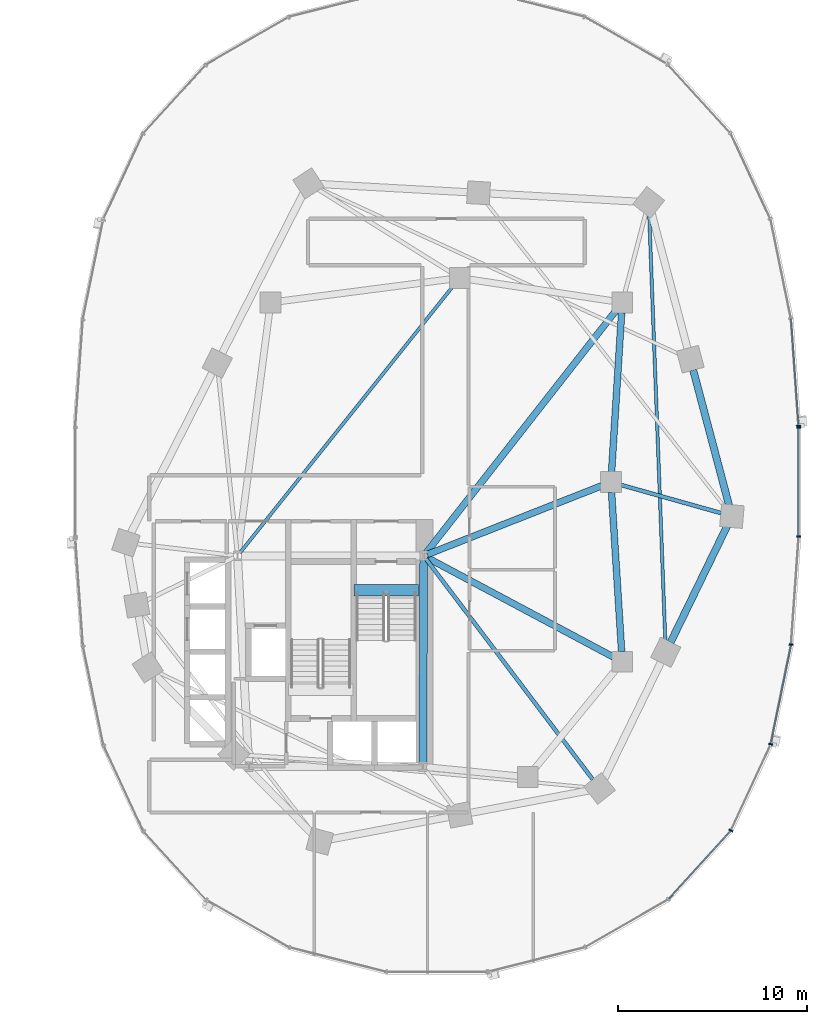
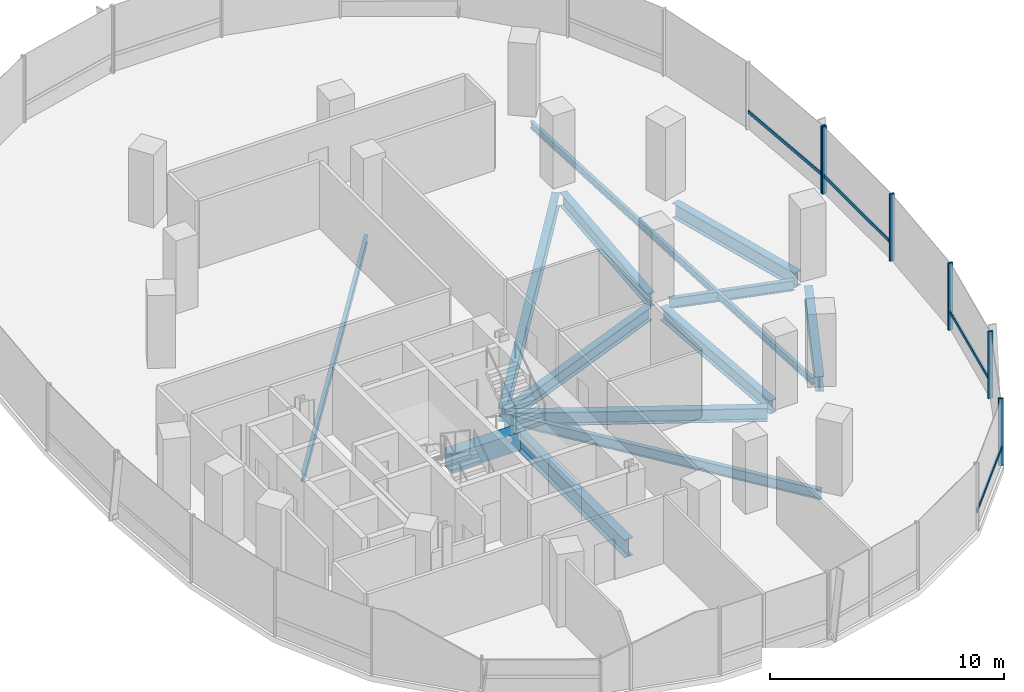
# One storey, part 6 of 21: 13 beams, 10 members, 2 elements without a shape of their own.
"""IFC4 building model written with IfcOpenShell, lengths in metres."""

import ifcopenshell
import ifcopenshell.guid

model = None  # the IFC model being written
_history = None  # IfcOwnerHistory: only IFC2X3 demands one
_inside = {}  # id of a spatial element -> (the spatial element, [elements in it])
_under = {}  # id of a project, library or spatial element -> (it, [spatial elements below it])
_declared = {}  # id of a project -> (the project, [libraries it declares])
_typed = {}  # id of a type object -> (the type object, [elements of that type])
_made_of = {}  # id of a material, layer set ... -> (it, [elements and type objects made of it])


def new_model(schema):
    """Start an empty IFC model of exactly this schema.

    Asked for "IFC4X3", IfcOpenShell would pick the latest addendum, in which some entities
    have other attributes; the version numbers below select the first issue.
    IFC2X3 requires an IfcOwnerHistory on every rooted entity: one is made here for all.
    """
    global model, _history
    if schema == "IFC4X3":
        model = ifcopenshell.file(schema_version=(4, 3, 0, 0))
    else:
        model = ifcopenshell.file(schema=schema)
    _inside.clear()
    _under.clear()
    _declared.clear()
    _typed.clear()
    _made_of.clear()
    _history = None
    if model.schema == "IFC2X3":
        org = make("IfcOrganization", Name="unknown")
        user = make(
            "IfcPersonAndOrganization",
            ThePerson=make("IfcPerson", FamilyName="unknown"),
            TheOrganization=org,
        )
        app = make(
            "IfcApplication",
            ApplicationDeveloper=org,
            Version="unknown",
            ApplicationFullName="unknown",
            ApplicationIdentifier="unknown",
        )
        _history = make(
            "IfcOwnerHistory",
            OwningUser=user,
            OwningApplication=app,
            ChangeAction="ADDED",
            CreationDate=0,
        )
    return model


def make(cls, **values):
    """One entity of the class cls with the attributes given. An attribute that is None is left unset."""
    return model.create_entity(
        cls, **{name: value for name, value in values.items() if value is not None}
    )


def rooted(cls, **values):
    """An entity with a GlobalId (a new one), such as an element, a storey or a relation."""
    return make(cls, GlobalId=ifcopenshell.guid.new(), OwnerHistory=_history, **values)


def si_unit(unit_type, name, prefix=None):
    """IfcSIUnit, for example si_unit("LENGTHUNIT", "METRE", prefix="MILLI")."""
    return make("IfcSIUnit", UnitType=unit_type, Prefix=prefix, Name=name)


def assignment(units):
    """IfcUnitAssignment: the units of a project."""
    return None if units is None else make("IfcUnitAssignment", Units=units)


def point(xyz):
    """IfcCartesianPoint."""
    return None if xyz is None else make("IfcCartesianPoint", Coordinates=xyz)


def direction(xyz):
    """IfcDirection."""
    return None if xyz is None else make("IfcDirection", DirectionRatios=xyz)


def frame(location, z_axis=None, x_axis=None):
    """IfcAxis2Placement3D, a coordinate frame: its origin and axes. An axis left out is left unset."""
    return make(
        "IfcAxis2Placement3D",
        Location=point(location),
        Axis=direction(z_axis),
        RefDirection=direction(x_axis),
    )


def frame_2d(location, x_axis=None):
    """IfcAxis2Placement2D, a coordinate frame in the plane: its origin and x axis."""
    return make(
        "IfcAxis2Placement2D", Location=point(location), RefDirection=direction(x_axis)
    )


def origin():
    """The frame at (0, 0, 0) with its axes left unset."""
    return frame((0.0, 0.0, 0.0))


def origin_2d():
    """The frame at (0, 0) in the plane with its x axis left unset."""
    return frame_2d((0.0, 0.0))


def place(relative_to, where):
    """IfcLocalPlacement: puts the frame where relative to a parent placement (None: the world)."""
    return make(
        "IfcLocalPlacement", PlacementRelTo=relative_to, RelativePlacement=where
    )


def context(
    kind, dimensions, precision=None, world=None, true_north=None, identifier=None
):
    """IfcGeometricRepresentationContext, for example the 3D "Model" context."""
    return make(
        "IfcGeometricRepresentationContext",
        ContextIdentifier=identifier,
        ContextType=kind,
        CoordinateSpaceDimension=dimensions,
        Precision=precision,
        WorldCoordinateSystem=world,
        TrueNorth=true_north,
    )


def subcontext(parent, identifier, kind, view, scale=None):
    """IfcGeometricRepresentationSubContext, for example "Body" below "Model"."""
    return make(
        "IfcGeometricRepresentationSubContext",
        ContextIdentifier=identifier,
        ContextType=kind,
        ParentContext=parent,
        TargetScale=scale,
        TargetView=view,
    )


def project(units=None, contexts=None):
    """IfcProject with its units and contexts."""
    return rooted(
        "IfcProject",
        Name="project",
        RepresentationContexts=contexts,
        UnitsInContext=assignment(units),
    )


def spatial(cls, under=None, at=None, **own):
    """A site, building, storey or space (cls), placed at a placement, below another one or the project."""
    s = rooted(cls, ObjectPlacement=at, **own)
    if under is not None:
        _under.setdefault(under.id(), (under, []))[1].append(s)
    return s


def profile(cls, at=None, kind="AREA", **sizes):
    """A parametric profile (cls). Its sizes go by their IFC names, for example OverallWidth=200.0."""
    return make(cls, ProfileType=kind, Position=at, **sizes)


def rectangle(**sizes):
    """IfcRectangleProfileDef."""
    return profile("IfcRectangleProfileDef", **sizes)


def i_section(**sizes):
    """IfcIShapeProfileDef."""
    return profile("IfcIShapeProfileDef", **sizes)


def extrude(swept, where, along, depth):
    """IfcExtrudedAreaSolid: the profile swept, set in the frame where, extruded along a direction by depth."""
    return make(
        "IfcExtrudedAreaSolid",
        SweptArea=swept,
        Position=where,
        ExtrudedDirection=direction(along),
        Depth=depth,
    )


def shape(context_of_items, identifier, shape_type, items):
    """IfcShapeRepresentation: the items that make up one representation, for example the "Body"."""
    return make(
        "IfcShapeRepresentation",
        ContextOfItems=context_of_items,
        RepresentationIdentifier=identifier,
        RepresentationType=shape_type,
        Items=items,
    )


def material(Name=None, Category=None):
    """IfcMaterial."""
    return make("IfcMaterial", Name=Name, Category=Category)


def material_profile(
    of_material, cross_section, Name=None, Category=None, Priority=None
):
    """IfcMaterialProfile: a cross section and its material."""
    return make(
        "IfcMaterialProfile",
        Name=Name,
        Material=of_material,
        Profile=cross_section,
        Priority=Priority,
        Category=Category,
    )


def profile_set(profiles, Name=None, composite=None):
    """IfcMaterialProfileSet."""
    return make(
        "IfcMaterialProfileSet",
        Name=Name,
        MaterialProfiles=profiles,
        CompositeProfile=composite,
    )


def made_of(thing, what):
    """Note that an element or type object is made of a material, layer set ...; save() writes the relation."""
    if what is not None:
        _made_of.setdefault(what.id(), (what, []))[1].append(thing)
    return thing


def type_object(cls, material=None, **own):
    """A type object (cls), such as IfcWallType, which elements share."""
    return made_of(rooted(cls, **own), material)


def element(
    cls,
    number,
    at=None,
    inside=None,
    cuts=None,
    type_object=None,
    material=None,
    context=None,
    identifier="Body",
    shape_type=None,
    held_by="IfcProductDefinitionShape",
    body=None,
    shapes=None,
    **own,
):
    """One element of the class cls, such as IfcWall. Its Tag is "e" and its number.

    at: its placement. inside: the storey or other place that contains it. cuts: it is an
    opening in that element (IfcRelVoidsElement). A single representation is given by context,
    identifier, shape_type and body (its items); several are given by shapes. held_by: the class
    of the entity that holds the representations. save() writes the other relations.
    """
    e = rooted(cls, Tag="e%d" % number, ObjectPlacement=at, **own)
    if body is not None:
        shapes = [shape(context, identifier, shape_type, body)]
    if shapes is not None:
        e.Representation = make(held_by, Representations=shapes)
    if inside is not None:
        _inside.setdefault(inside.id(), (inside, []))[1].append(e)
    if cuts is not None:
        rooted(
            "IfcRelVoidsElement", RelatingBuildingElement=cuts, RelatedOpeningElement=e
        )
    if type_object is not None:
        _typed.setdefault(type_object.id(), (type_object, []))[1].append(e)
    return made_of(e, material)


def aggregate(whole, parts):
    """IfcRelAggregates: a whole, such as a stair, and the parts it consists of."""
    return rooted("IfcRelAggregates", RelatingObject=whole, RelatedObjects=parts)


def save(model, path):
    """Write the relations noted so far, then the file.

    IfcRelAggregates (storeys below a building ...), IfcRelContainedInSpatialStructure (elements
    in a storey), IfcRelDefinesByType, IfcRelAssociatesMaterial and IfcRelDeclares: one each for
    every whole, place, type object, material and project.
    """
    for whole, parts in _under.values():
        aggregate(whole, parts)
    for where, things in _inside.values():
        rooted(
            "IfcRelContainedInSpatialStructure",
            RelatedElements=things,
            RelatingStructure=where,
        )
    for kind, things in _typed.values():
        rooted("IfcRelDefinesByType", RelatedObjects=things, RelatingType=kind)
    for what, things in _made_of.values():
        rooted("IfcRelAssociatesMaterial", RelatedObjects=things, RelatingMaterial=what)
    for by, libraries in _declared.values():
        rooted("IfcRelDeclares", RelatingContext=by, RelatedDefinitions=libraries)
    model.write(path)


model = new_model("IFC4")

# Units and contexts
model_context = context("Model", 3, precision=1e-05, world=origin(), true_north=direction((0.0, 1.0)))
body_context = subcontext(model_context, "Body", "Model", "MODEL_VIEW")
ifc_project = project(units=[si_unit("LENGTHUNIT", "METRE"), si_unit("AREAUNIT", "SQUARE_METRE"), si_unit("VOLUMEUNIT", "CUBIC_METRE"), si_unit("PLANEANGLEUNIT", "RADIAN"), si_unit("MASSUNIT", "GRAM", prefix="KILO"), si_unit("THERMODYNAMICTEMPERATUREUNIT", "KELVIN"), si_unit("POWERUNIT", "WATT")], contexts=[model_context])

# Site, building, storey
site_placement = place(None, origin())
site = spatial("IfcSite", under=ifc_project, at=site_placement, CompositionType="ELEMENT")
building_placement = place(site_placement, origin())
building = spatial("IfcBuilding", under=site, at=building_placement, Name="Cundina Bronze Exchange", CompositionType="ELEMENT")
storey_placement = place(building_placement, frame((0.0, 0.0, 69.60009765625)))
storey = spatial("IfcBuildingStorey", under=building, at=storey_placement, Name="L17", CompositionType="ELEMENT", Elevation=69.60009765625)

# Beams
ifc_material_1 = material(Name="Concrete C60/75", Category="concrete")
ifc_material_profile_1 = material_profile(ifc_material_1, rectangle(XDim=0.60009765625, YDim=0.949951171875, at=origin_2d()), Name="RC600X950", Category="concrete")
ifc_profile_set_1 = profile_set([ifc_material_profile_1], Name="Concrete C60/75")
beam_type_1 = type_object("IfcBeamType", Name="BM-COUP-RC950", PredefinedType="LINTEL", material=ifc_profile_set_1)
beam_1_placement = place(storey_placement, frame((27.6201171875, -5.719970703125, -0.47509765625), z_axis=(1.0, 0.0, 0.0), x_axis=(0.0, 1.0, 0.0)))
element("IfcBeam", 1, at=beam_1_placement, inside=storey, type_object=beam_type_1, Name="L17 Stair E1 Landing Header Beam", PredefinedType="LINTEL", context=body_context, shape_type="SweptSolid", body=[
    extrude(rectangle(XDim=0.60009765625, YDim=0.949951171875, at=origin_2d()), origin(), (0.0, 0.0, 1.0), 3.39990234375),
])
ifc_material_2 = material(Name="Steel ASTM A992 Grade 50", Category="steel")
ifc_material_profile_2 = material_profile(ifc_material_2, i_section(OverallWidth=0.2099609375, OverallDepth=0.532958984375, WebThickness=0.01025390625, FlangeThickness=0.015625, FilletRadius=0.013916015625, at=origin_2d()), Name="W21X62", Category="steel")
ifc_profile_set_2 = profile_set([ifc_material_profile_2], Name="Steel ASTM A992 Grade 50")
beam_type_2 = type_object("IfcBeamType", Name="BM-FLR-W21B", PredefinedType="BEAM", material=ifc_profile_set_2)
beam_2_placement = place(storey_placement, frame((31.423095703125, -4.062744140625, -0.566650390625), z_axis=(0.603106461849, -0.797660702101, 0.0), x_axis=(0.797660702101, 0.603106461849, 0.0)))
element("IfcBeam", 2, at=beam_2_placement, inside=storey, type_object=beam_type_2, Name="L17 Leg E Chordal Floor Beam 06", PredefinedType="BEAM", context=body_context, shape_type="SweptSolid", body=[
    extrude(i_section(OverallWidth=0.2099609375, OverallDepth=0.532958984375, WebThickness=0.01025390625, FlangeThickness=0.015625, FilletRadius=0.013916015625, at=origin_2d()), origin(), (0.0, 0.0, 1.0), 14.6279296875),
])
beam_3_placement = place(storey_placement, frame((41.718017578125, -0.145751953125, -0.566650390625), z_axis=(0.962650219971, -0.270748137554, 0.0), x_axis=(0.270748137554, 0.962650219971, 0.0)))
element("IfcBeam", 3, at=beam_3_placement, inside=storey, type_object=beam_type_2, Name="L17 Leg E Chordal Floor Beam 08", PredefinedType="BEAM", context=body_context, shape_type="SweptSolid", body=[
    extrude(i_section(OverallWidth=0.2099609375, OverallDepth=0.532958984375, WebThickness=0.01025390625, FlangeThickness=0.015625, FilletRadius=0.013916015625, at=origin_2d()), origin(), (0.0, 0.0, 1.0), 5.522216796875),
])
ifc_material_profile_3 = material_profile(ifc_material_2, i_section(OverallWidth=0.172119140625, OverallDepth=0.35791015625, WebThickness=0.0078125, FlangeThickness=0.01318359375, FilletRadius=0.010009765625, at=origin_2d()), Name="W14X38", Category="steel")
ifc_profile_set_3 = profile_set([ifc_material_profile_3], Name="Steel ASTM A992 Grade 50")
beam_type_3 = type_object("IfcBeamType", Name="BM-JST-W14", PredefinedType="JOIST", material=ifc_profile_set_3)
beam_4_placement = place(storey_placement, frame((21.577392578125, -3.740478515625, -0.47900390625), z_axis=(0.62436887964, 0.781129632095, 0.0), x_axis=(-0.781129632095, 0.62436887964, 0.0)))
element("IfcBeam", 4, at=beam_4_placement, inside=storey, type_object=beam_type_3, Name="L17 E Interior Core-to-Ring Joist 2", PredefinedType="JOIST", context=body_context, shape_type="SweptSolid", body=[
    extrude(i_section(OverallWidth=0.172119140625, OverallDepth=0.35791015625, WebThickness=0.0078125, FlangeThickness=0.01318359375, FilletRadius=0.010009765625, at=origin_2d()), origin(), (0.0, 0.0, 1.0), 18.076904296875),
])
beam_5_placement = place(storey_placement, frame((44.077880859375, -8.412353515625, -0.47900390625), z_axis=(-0.037794949147, 0.999285515666, 0.0), x_axis=(-0.999285515666, -0.037794949147, 0.0)))
element("IfcBeam", 5, at=beam_5_placement, inside=storey, type_object=beam_type_3, Name="L17 Leg E Lobe Floor Joist 07-10", PredefinedType="JOIST", context=body_context, shape_type="SweptSolid", body=[
    extrude(i_section(OverallWidth=0.172119140625, OverallDepth=0.35791015625, WebThickness=0.0078125, FlangeThickness=0.01318359375, FilletRadius=0.010009765625, at=origin_2d()), origin(), (0.0, 0.0, 1.0), 22.640869140625),
])
ifc_material_profile_4 = material_profile(ifc_material_2, i_section(OverallWidth=0.35498046875, OverallDepth=0.695068359375, WebThickness=0.015380859375, FlangeThickness=0.02490234375, FilletRadius=0.01806640625, at=origin_2d()), Name="W27X146", Category="steel")
ifc_profile_set_4 = profile_set([ifc_material_profile_4], Name="Steel ASTM A992 Grade 50")
beam_type_4 = type_object("IfcBeamType", Name="BM-RING-W27", PredefinedType="USERDEFINED", material=ifc_profile_set_4)
for number, where, z_axis, x_axis, name in (
    (6, (41.76611328125, -8.963134765625, -0.647705078125), (-0.06303715519, 0.998011180832, 0.0), (-0.998011180832, -0.06303715519, 0.0), "L17 E Inner Structural Ring Girder 03"),
    (7, (41.23388671875, 0.536865234375, -0.647705078125), (0.06303715519, 0.998011180832, 0.0), (-0.998011180832, 0.06303715519, 0.0), "L17 E Inner Structural Ring Girder 04"),
):
    element("IfcBeam", number, at=place(storey_placement, frame(where, z_axis=z_axis, x_axis=x_axis)), inside=storey, type_object=beam_type_4, Name=name, ObjectType="GIRDER", PredefinedType="USERDEFINED", context=body_context, shape_type="SweptSolid", body=[
        extrude(i_section(OverallWidth=0.35498046875, OverallDepth=0.695068359375, WebThickness=0.015380859375, FlangeThickness=0.02490234375, FilletRadius=0.01806640625, at=origin_2d()), origin(), (0.0, 0.0, 1.0), 8.443115234375),
    ])
beam_6_placement = place(storey_placement, frame((31.48974609375, -3.8251953125, -0.647705078125), z_axis=(0.930413235418, 0.366512225388, 0.0), x_axis=(-0.366512225388, 0.930413235418, 0.0)))
element("IfcBeam", 8, at=beam_6_placement, inside=storey, type_object=beam_type_4, Name="L17 E Core-to-Waist Tie Beam 1", ObjectType="GIRDER", PredefinedType="USERDEFINED", context=body_context, shape_type="SweptSolid", body=[
    extrude(i_section(OverallWidth=0.35498046875, OverallDepth=0.695068359375, WebThickness=0.015380859375, FlangeThickness=0.02490234375, FilletRadius=0.01806640625, at=origin_2d()), origin(), (0.0, 0.0, 1.0), 9.8984375),
])
beam_7_placement = place(storey_placement, frame((31.47998046875, -3.99609375, -0.647705078125), z_axis=(0.882354758239, -0.470584828286, 0.0), x_axis=(0.470584828286, 0.882354758239, 0.0)))
element("IfcBeam", 9, at=beam_7_placement, inside=storey, type_object=beam_type_4, Name="L17 E Core-to-Waist Tie Beam 2", ObjectType="GIRDER", PredefinedType="USERDEFINED", context=body_context, shape_type="SweptSolid", body=[
    extrude(i_section(OverallWidth=0.35498046875, OverallDepth=0.695068359375, WebThickness=0.015380859375, FlangeThickness=0.02490234375, FilletRadius=0.01806640625, at=origin_2d()), origin(), (0.0, 0.0, 1.0), 11.157958984375),
])
beam_8_placement = place(storey_placement, frame((31.42578125, -3.739501953125, -0.647705078125), z_axis=(0.616789275748, 0.787128318206, 0.0), x_axis=(-0.787128318206, 0.616789275748, 0.0)))
element("IfcBeam", 10, at=beam_8_placement, inside=storey, type_object=beam_type_4, Name="L17 E Core-to-Waist Tie Beam 3", ObjectType="GIRDER", PredefinedType="USERDEFINED", context=body_context, shape_type="SweptSolid", body=[
    extrude(i_section(OverallWidth=0.35498046875, OverallDepth=0.695068359375, WebThickness=0.015380859375, FlangeThickness=0.02490234375, FilletRadius=0.01806640625, at=origin_2d()), origin(), (0.0, 0.0, 1.0), 16.281982421875),
])
ifc_material_profile_5 = material_profile(ifc_material_2, i_section(OverallWidth=0.381103515625, OverallDepth=0.77294921875, WebThickness=0.0166015625, FlangeThickness=0.027099609375, FilletRadius=0.01904296875, at=origin_2d()), Name="W30X173", Category="steel")
ifc_profile_set_5 = profile_set([ifc_material_profile_5], Name="Steel ASTM A992 Grade 50")
beam_type_5 = type_object("IfcBeamType", Name="BM-RING-W30", PredefinedType="USERDEFINED", material=ifc_profile_set_5)
beam_9_placement = place(storey_placement, frame((44.357177734375, -8.47119140625, -0.6865234375), z_axis=(0.437190698904, 0.899368830231, 0.0), x_axis=(-0.899368830231, 0.437190698904, 0.0)))
element("IfcBeam", 11, at=beam_9_placement, inside=storey, type_object=beam_type_5, Name="L17 E Perimeter Ring Girder 07", ObjectType="GIRDER", PredefinedType="USERDEFINED", context=body_context, shape_type="SweptSolid", body=[
    extrude(i_section(OverallWidth=0.381103515625, OverallDepth=0.77294921875, WebThickness=0.0166015625, FlangeThickness=0.027099609375, FilletRadius=0.01904296875, at=origin_2d()), origin(), (0.0, 0.0, 1.0), 6.82958984375),
])
beam_10_placement = place(storey_placement, frame((47.44921875, -1.231689453125, -0.6865234375), z_axis=(-0.256177785604, 0.966629682021, 0.0), x_axis=(-0.966629682021, -0.256177785604, 0.0)))
element("IfcBeam", 12, at=beam_10_placement, inside=storey, type_object=beam_type_5, Name="L17 E Perimeter Ring Girder 08", ObjectType="GIRDER", PredefinedType="USERDEFINED", context=body_context, shape_type="SweptSolid", body=[
    extrude(i_section(OverallWidth=0.381103515625, OverallDepth=0.77294921875, WebThickness=0.0166015625, FlangeThickness=0.027099609375, FilletRadius=0.01904296875, at=origin_2d()), origin(), (0.0, 0.0, 1.0), 7.41064453125),
])
ifc_material_profile_6 = material_profile(ifc_material_2, i_section(OverallWidth=0.41796875, OverallDepth=0.927001953125, WebThickness=0.019287109375, FlangeThickness=0.031982421875, FilletRadius=0.02392578125, at=origin_2d()), Name="W36X231", Category="steel")
ifc_profile_set_6 = profile_set([ifc_material_profile_6], Name="Steel ASTM A992 Grade 50")
beam_type_6 = type_object("IfcBeamType", Name="BM-WRN-W36B", PredefinedType="USERDEFINED", material=ifc_profile_set_6)
beam_11_placement = place(storey_placement, frame((31.2509765625, -14.845947265625, -0.763671875), z_axis=(0.004477329608, 0.99998997671, 0.0), x_axis=(-0.99998997671, 0.004477329608, 0.0)))
element("IfcBeam", 13, at=beam_11_placement, inside=storey, type_object=beam_type_6, Name="L17 E Core Perimeter Tie Girder 4", ObjectType="GIRDER", PredefinedType="USERDEFINED", context=body_context, shape_type="SweptSolid", body=[
    extrude(i_section(OverallWidth=0.41796875, OverallDepth=0.927001953125, WebThickness=0.019287109375, FlangeThickness=0.031982421875, FilletRadius=0.02392578125, at=origin_2d()), origin(), (0.0, 0.0, 1.0), 10.741943359375),
])

# Curtain wall, member
ifc_material_3 = material(Name="Anodised Bronze Aluminium 6063-T6", Category="aluminium")
curtain_wall_type = type_object("IfcCurtainWallType", Name="CWS-TRD-LOW", PredefinedType="NOTDEFINED", material=ifc_material_3)
curtain_wall_1_placement = place(storey_placement, origin())
curtain_wall_1 = element("IfcCurtainWall", 14, at=curtain_wall_1_placement, inside=storey, type_object=curtain_wall_type, Name="L17 CW-02 Curtain Wall Run CWR-L17-E1", PredefinedType="NOTDEFINED")
ifc_material_profile_7 = material_profile(ifc_material_3, rectangle(XDim=0.074951171875, YDim=0.219970703125, at=origin_2d()), Name="AL75X220", Category="aluminium")
ifc_profile_set_7 = profile_set([ifc_material_profile_7], Name="Anodised Bronze Aluminium 6063-T6")
member_type_1 = type_object("IfcMemberType", Name="CWM-MUL-220", PredefinedType="MULLION", material=ifc_profile_set_7)
member_1_placement = place(storey_placement, frame((51.12451171875, 2.976318359375, 0.0), z_axis=(0.0, 0.0, 1.0), x_axis=(-0.070278787473, 0.997527389113, 0.0)))
member_1 = element("IfcMember", 15, at=member_1_placement, type_object=member_type_1, Name="CW-02 Mullion 1", PredefinedType="MULLION", context=body_context, shape_type="SweptSolid", body=[
    extrude(rectangle(XDim=0.074951171875, YDim=0.219970703125, at=origin_2d()), origin(), (0.0, 0.0, 1.0), 3.5),
])

# Curtain wall, members
curtain_wall_2_placement = place(storey_placement, origin())
curtain_wall_2 = element("IfcCurtainWall", 16, at=curtain_wall_2_placement, inside=storey, type_object=curtain_wall_type, Name="L17 CW-02 Curtain Wall Run CWR-L17-E4", PredefinedType="NOTDEFINED")
member_2_placement = place(storey_placement, frame((47.544189453125, -18.423583984375, 0.0), z_axis=(0.0, 0.0, 1.0), x_axis=(0.42087749791, 0.907117485088, 0.0)))
member_2 = element("IfcMember", 17, at=member_2_placement, type_object=member_type_1, Name="CW-02 Mullion 4", PredefinedType="MULLION", context=body_context, shape_type="SweptSolid", body=[
    extrude(rectangle(XDim=0.074951171875, YDim=0.219970703125, at=origin_2d()), origin(), (0.0, 0.0, 1.0), 3.5),
])
member_3_placement = place(storey_placement, frame((49.651123046875, -13.861328125, 0.0), z_axis=(0.0, 0.0, 1.0), x_axis=(0.201419845156, 0.979505000486, 0.0)))
member_3 = element("IfcMember", 18, at=member_3_placement, type_object=member_type_1, Name="CW-02 Mullion 5", PredefinedType="MULLION", context=body_context, shape_type="SweptSolid", body=[
    extrude(rectangle(XDim=0.074951171875, YDim=0.219970703125, at=origin_2d()), origin(), (0.0, 0.0, 1.0), 3.5),
])
member_4_placement = place(storey_placement, frame((50.72900390625, -8.591552734375, 0.0), z_axis=(0.0, 0.0, 1.0), x_axis=(0.070278787473, 0.997527389113, 0.0)))
member_4 = element("IfcMember", 19, at=member_4_placement, type_object=member_type_1, Name="CW-02 Mullion 6", PredefinedType="MULLION", context=body_context, shape_type="SweptSolid", body=[
    extrude(rectangle(XDim=0.074951171875, YDim=0.219970703125, at=origin_2d()), origin(), (0.0, 0.0, 1.0), 3.5),
])
member_5_placement = place(storey_placement, frame((51.1279296875, -2.880615234375, 0.0), z_axis=(0.0, 0.0, 1.0), x_axis=(0.0, 1.0, 0.0)))
member_5 = element("IfcMember", 20, at=member_5_placement, type_object=member_type_1, Name="CW-02 Mullion 7", PredefinedType="MULLION", context=body_context, shape_type="SweptSolid", body=[
    extrude(rectangle(XDim=0.074951171875, YDim=0.219970703125, at=origin_2d()), origin(), (0.0, 0.0, 1.0), 3.5),
])
member_6_placement = place(storey_placement, frame((51.1279296875, 2.880615234375, 0.0), z_axis=(0.0, 0.0, 1.0), x_axis=(0.0, 1.0, 0.0)))
member_6 = element("IfcMember", 21, at=member_6_placement, type_object=member_type_1, Name="CW-02 End Mullion", PredefinedType="MULLION", context=body_context, shape_type="SweptSolid", body=[
    extrude(rectangle(XDim=0.074951171875, YDim=0.219970703125, at=origin_2d()), origin(), (0.0, 0.0, 1.0), 3.5),
])

# Member
ifc_material_profile_8 = material_profile(ifc_material_3, rectangle(XDim=0.070068359375, YDim=0.179931640625, at=origin_2d()), Name="AL70X180", Category="aluminium")
ifc_profile_set_8 = profile_set([ifc_material_profile_8], Name="Anodised Bronze Aluminium 6063-T6")
member_type_2 = type_object("IfcMemberType", Name="CWM-TRN-180", PredefinedType="USERDEFINED", material=ifc_profile_set_8)
member_7_placement = place(storey_placement, frame((51.12158203125, 3.017333984375, 0.919921875), z_axis=(-0.070260714471, 0.997528662246, 0.0), x_axis=(-0.997528662246, -0.070260714471, 0.0)))
member_7 = element("IfcMember", 22, at=member_7_placement, type_object=member_type_2, Name="CW-02 Spandrel Transom 1", ObjectType="TRANSOM", PredefinedType="USERDEFINED", context=body_context, shape_type="SweptSolid", body=[
    extrude(rectangle(XDim=0.070068359375, YDim=0.179931640625, at=origin_2d()), origin(), (0.0, 0.0, 1.0), 5.629150390625),
])

aggregate(curtain_wall_1, [member_1, member_7])

member_8_placement = place(storey_placement, frame((44.26708984375, -22.027099609375, 0.919921875), z_axis=(0.674302794847, 0.738454968743, 0.0), x_axis=(-0.738454968743, 0.674302794847, 0.0)))
member_8 = element("IfcMember", 23, at=member_8_placement, type_object=member_type_2, Name="CW-02 Spandrel Transom 3", ObjectType="TRANSOM", PredefinedType="USERDEFINED", context=body_context, shape_type="SweptSolid", body=[
    extrude(rectangle(XDim=0.070068359375, YDim=0.179931640625, at=origin_2d()), origin(), (0.0, 0.0, 1.0), 4.848388671875),
])

member_9_placement = place(storey_placement, frame((49.659423828125, -13.821044921875, 0.919921875), z_axis=(0.201427712708, 0.979503382615, 0.0), x_axis=(-0.979503382615, 0.201427712708, 0.0)))
member_9 = element("IfcMember", 24, at=member_9_placement, type_object=member_type_2, Name="CW-02 Spandrel Transom 5", ObjectType="TRANSOM", PredefinedType="USERDEFINED", context=body_context, shape_type="SweptSolid", body=[
    extrude(rectangle(XDim=0.070068359375, YDim=0.179931640625, at=origin_2d()), origin(), (0.0, 0.0, 1.0), 5.291748046875),
])

member_10_placement = place(storey_placement, frame((51.1279296875, -2.839111328125, 0.919921875), z_axis=(0.0, 1.0, 0.0), x_axis=(-1.0, 0.0, 0.0)))
member_10 = element("IfcMember", 25, at=member_10_placement, type_object=member_type_2, Name="CW-02 Spandrel Transom 7", ObjectType="TRANSOM", PredefinedType="USERDEFINED", context=body_context, shape_type="SweptSolid", body=[
    extrude(rectangle(XDim=0.070068359375, YDim=0.179931640625, at=origin_2d()), origin(), (0.0, 0.0, 1.0), 5.67822265625),
])

aggregate(curtain_wall_2, [member_8, member_2, member_3, member_9, member_4, member_5, member_6, member_10])

save(model, "model.ifc")
